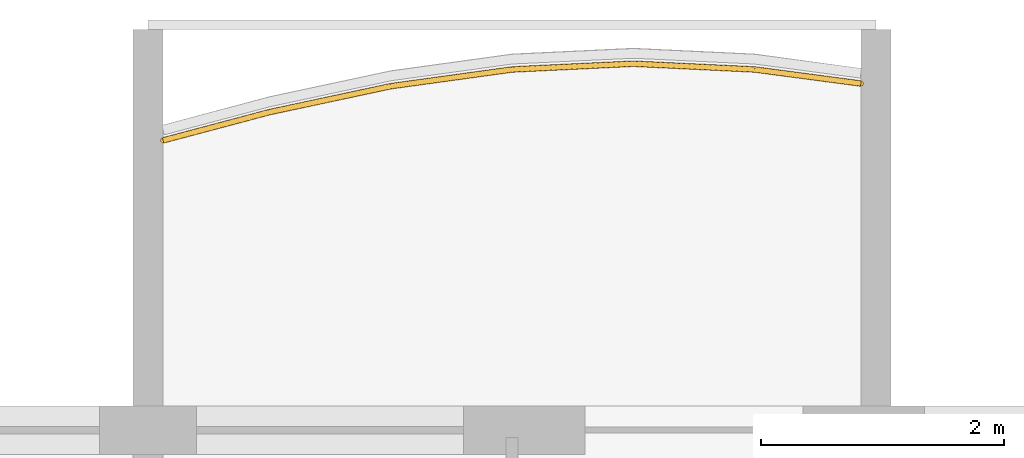
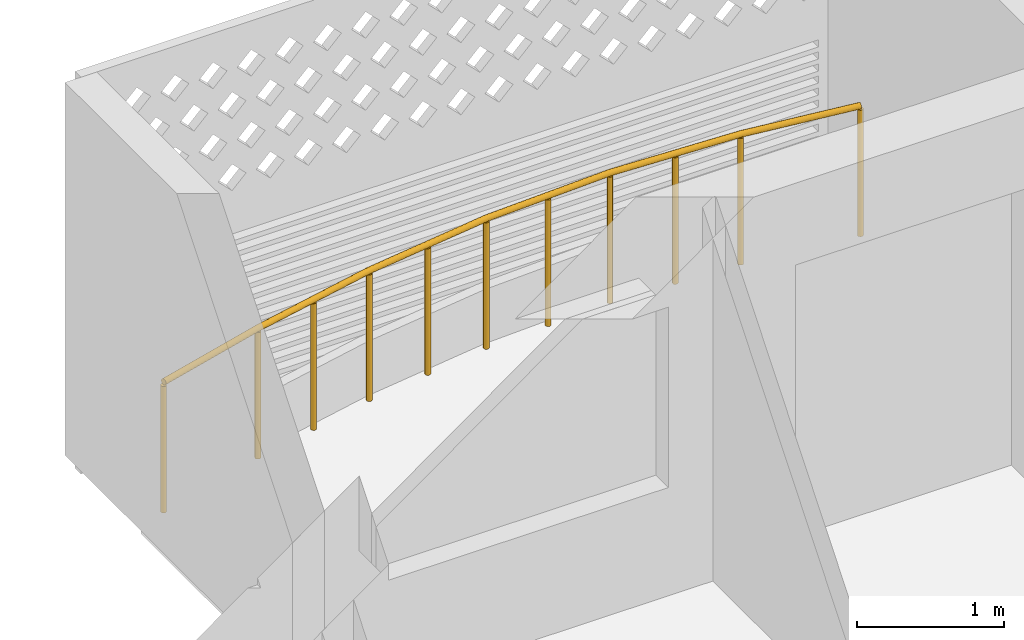
# One storey, part 22 of 27: 1 railing.
"""IFC4 building model written with IfcOpenShell, lengths in metres."""

from ifc_helpers import new_model, si_unit, direction, frame, origin, origin_2d, place, context, subcontext, project, spatial, circle, extrude, material, type_object, element, save


model = new_model("IFC4")

# Units and contexts
model_context = context("Model", 3, precision=1e-05, world=origin(), true_north=direction((0.0, 1.0)))
body_context = subcontext(model_context, "Body", "Model", "MODEL_VIEW")
ifc_project = project(units=[si_unit("LENGTHUNIT", "METRE"), si_unit("AREAUNIT", "SQUARE_METRE"), si_unit("VOLUMEUNIT", "CUBIC_METRE"), si_unit("PLANEANGLEUNIT", "RADIAN"), si_unit("MASSUNIT", "GRAM", prefix="KILO")], contexts=[model_context])

# Site, building, storey
site_placement = place(None, origin())
site = spatial("IfcSite", under=ifc_project, at=site_placement, CompositionType="ELEMENT")
building_placement = place(site_placement, origin())
building = spatial("IfcBuilding", under=site, at=building_placement, Name="Poui Terraces", CompositionType="ELEMENT")
storey_placement = place(building_placement, frame((0.0, 0.0, 201.60009765625)))
storey = spatial("IfcBuildingStorey", under=building, at=storey_placement, Name="L56", CompositionType="ELEMENT", Elevation=201.60009765625)

# Railing
ifc_material = material(Name="Painted steel fretwork", Category="steel")
railing_type = type_object("IfcRailingType", Name="BALCONY GUARD 1100", PredefinedType="GUARDRAIL", material=ifc_material)
railing_placement = place(storey_placement, frame((48.125, 43.587890625, 0.0)))
element("IfcRailing", 1, at=railing_placement, inside=storey, type_object=railing_type, Name="BALCONY GUARD", PredefinedType="GUARDRAIL", context=body_context, shape_type="SweptSolid", body=[
    extrude(circle(Radius=0.02392578125, at=origin_2d()), frame((0.0, 0.0, 1.076171875), z_axis=(0.966418189442, 0.256974479503, 0.0), x_axis=(-0.256974479503, 0.966418189442, 0.0)), (0.0, 0.0, 1.0), 0.905517578125),
    extrude(circle(Radius=0.02392578125, at=origin_2d()), frame((0.875, 0.232666015625, 1.076171875), z_axis=(0.977886186539, 0.20913776841, 0.0), x_axis=(-0.20913776841, 0.977886186539, 0.0)), (0.0, 0.0, 1.0), 1.022705078125),
    extrude(circle(Radius=0.02392578125, at=origin_2d()), frame((1.875, 0.446533203125, 1.076171875), z_axis=(0.990620000385, 0.136645581108, 0.0), x_axis=(-0.136645581108, 0.990620000385, 0.0)), (0.0, 0.0, 1.0), 1.009521484375),
    extrude(circle(Radius=0.02392578125, at=origin_2d()), frame((2.875, 0.58447265625, 1.076171875), z_axis=(0.998868689387, 0.047553563093, 0.0), x_axis=(-0.047553563093, 0.998868689387, 0.0)), (0.0, 0.0, 1.0), 1.001220703125),
    extrude(circle(Radius=0.02392578125, at=origin_2d()), frame((3.875, 0.632080078125, 1.076171875), z_axis=(0.998868689387, -0.047553563093, 0.0), x_axis=(0.047553563093, 0.998868689387, 0.0)), (0.0, 0.0, 1.0), 1.001220703125),
    extrude(circle(Radius=0.02392578125, at=origin_2d()), frame((4.875, 0.58447265625, 1.076171875), z_axis=(0.991331470199, -0.131384611703, 0.0), x_axis=(0.131384611703, 0.991331470199, 0.0)), (0.0, 0.0, 1.0), 0.882568359375),
    extrude(circle(Radius=0.02099609375, at=origin_2d()), origin(), (0.0, 0.0, 1.0), 1.052001953125),
    extrude(circle(Radius=0.02099609375, at=origin_2d()), frame((0.875, 0.232666015625, 0.0)), (0.0, 0.0, 1.0), 1.052001953125),
    extrude(circle(Radius=0.02099609375, at=origin_2d()), frame((1.375, 0.339599609375, 0.0)), (0.0, 0.0, 1.0), 1.052001953125),
    extrude(circle(Radius=0.02099609375, at=origin_2d()), frame((1.875, 0.446533203125, 0.0)), (0.0, 0.0, 1.0), 1.052001953125),
    extrude(circle(Radius=0.02099609375, at=origin_2d()), frame((2.375, 0.515625, 0.0)), (0.0, 0.0, 1.0), 1.052001953125),
    extrude(circle(Radius=0.02099609375, at=origin_2d()), frame((2.875, 0.58447265625, 0.0)), (0.0, 0.0, 1.0), 1.052001953125),
    extrude(circle(Radius=0.02099609375, at=origin_2d()), frame((3.375, 0.6083984375, 0.0)), (0.0, 0.0, 1.0), 1.052001953125),
    extrude(circle(Radius=0.02099609375, at=origin_2d()), frame((3.875, 0.632080078125, 0.0)), (0.0, 0.0, 1.0), 1.052001953125),
    extrude(circle(Radius=0.02099609375, at=origin_2d()), frame((4.375, 0.6083984375, 0.0)), (0.0, 0.0, 1.0), 1.052001953125),
    extrude(circle(Radius=0.02099609375, at=origin_2d()), frame((4.875, 0.58447265625, 0.0)), (0.0, 0.0, 1.0), 1.052001953125),
    extrude(circle(Radius=0.02099609375, at=origin_2d()), frame((5.75, 0.468505859375, 0.0)), (0.0, 0.0, 1.0), 1.052001953125),
])

save(model, "model.ifc")
